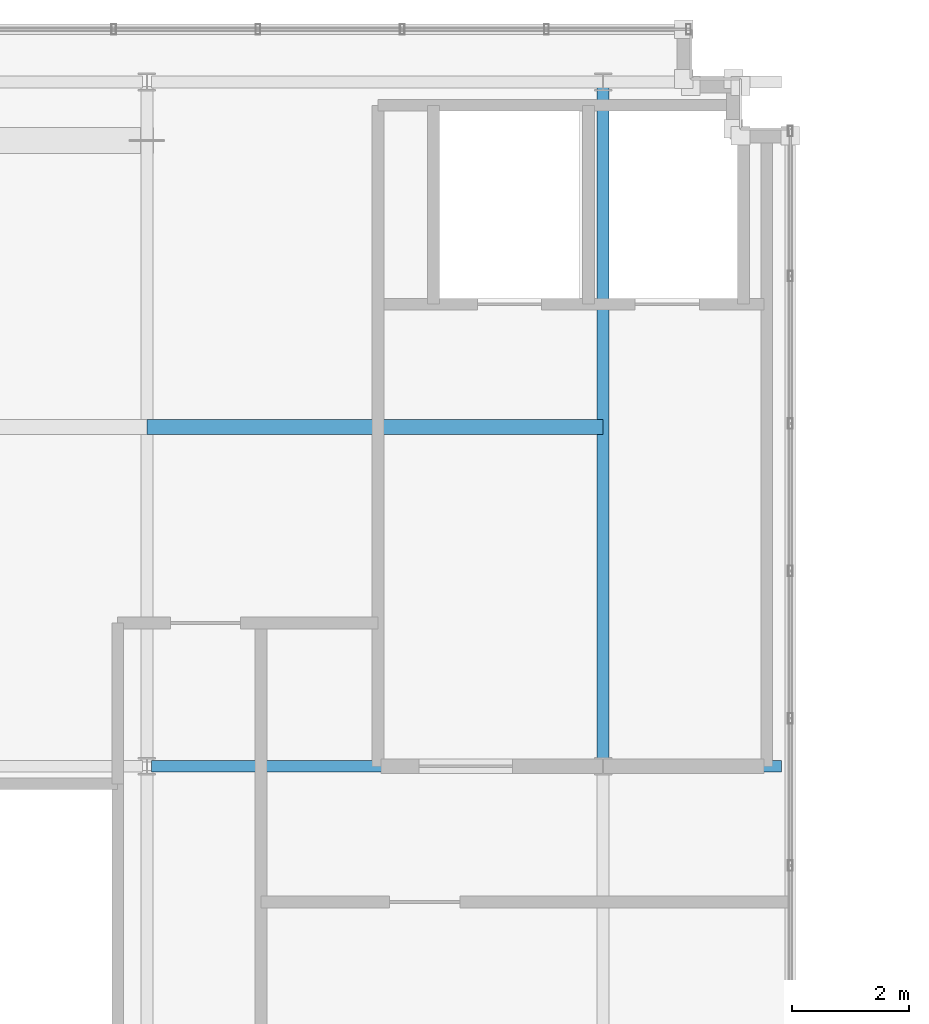
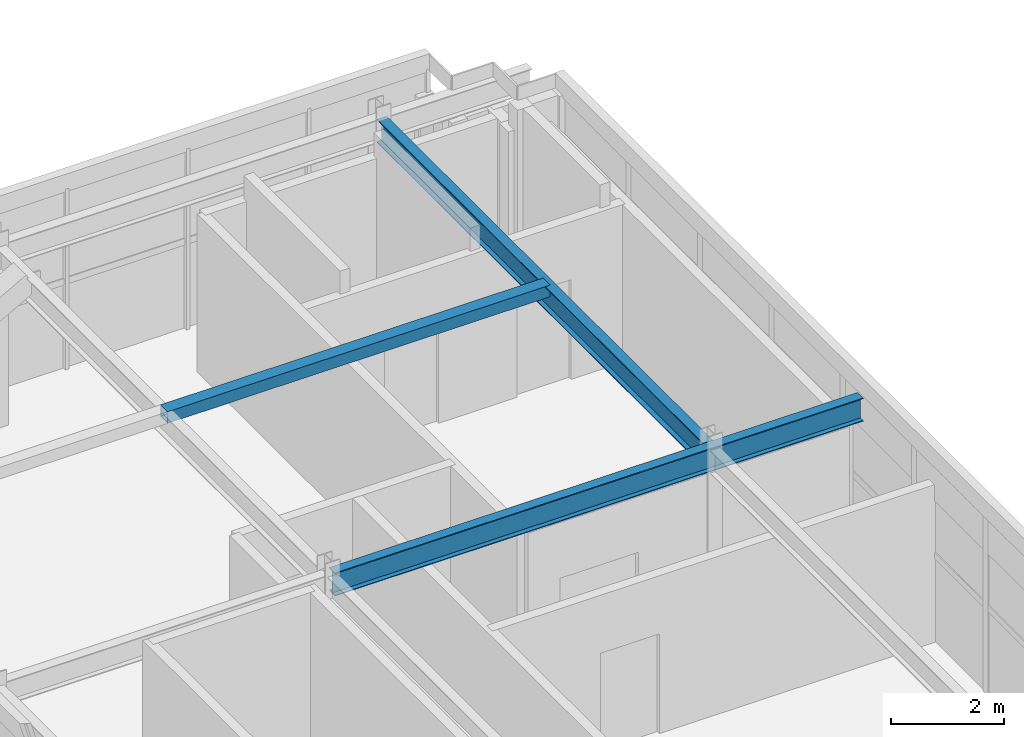
# One storey, part 9 of 25: 2 beams, 1 member.
"""IFC4 building model written with IfcOpenShell, lengths in metres."""

from ifc_helpers import new_model, si_unit, direction, frame, origin, origin_2d, place, context, subcontext, project, spatial, hollow_rectangle, i_section, extrude, source, transform, mapped, material, material_profile, profile_set, type_object, element, save


model = new_model("IFC4")

# Units and contexts
model_context = context("Model", 3, precision=1e-05, world=origin(), true_north=direction((0.0, 1.0)))
body_context = subcontext(model_context, "Body", "Model", "MODEL_VIEW")
ifc_project = project(units=[si_unit("LENGTHUNIT", "METRE"), si_unit("AREAUNIT", "SQUARE_METRE"), si_unit("VOLUMEUNIT", "CUBIC_METRE"), si_unit("PLANEANGLEUNIT", "RADIAN"), si_unit("MASSUNIT", "GRAM", prefix="KILO")], contexts=[model_context])

# Site, building, storey
site_placement = place(None, origin())
site = spatial("IfcSite", under=ifc_project, at=site_placement, CompositionType="ELEMENT")
building_placement = place(site_placement, origin())
building = spatial("IfcBuilding", under=site, at=building_placement, Name="Trelvane Seafront Commons", CompositionType="ELEMENT")
storey_placement = place(building_placement, frame((0.0, 0.0, 320.89990234375)))
storey = spatial("IfcBuildingStorey", under=building, at=storey_placement, Name="L83", CompositionType="ELEMENT", Elevation=320.89990234375)

# Beams
ifc_material = material(Name="Steel SM355 (S355)", Category="steel")
ifc_material_profile_1 = material_profile(ifc_material, i_section(OverallWidth=0.199951171875, OverallDepth=0.5, WebThickness=0.010009765625, FlangeThickness=0.01611328125, at=origin_2d()), Name="H-500x200x10x16")
ifc_profile_set_1 = profile_set([ifc_material_profile_1], Name="Steel SM355 (S355)")
beam_type_1 = type_object("IfcBeamType", Name="STR-BM-H500", PredefinedType="BEAM", material=ifc_profile_set_1)
shared_shape_1 = source(origin(), body_context, "Body", "SweptSolid", [
    extrude(i_section(OverallWidth=0.199951171875, OverallDepth=0.5, WebThickness=0.010009765625, FlangeThickness=0.01611328125, at=origin_2d()), origin(), (0.0, 0.0, 1.0), 11.5498046875),
])
beam_1_placement = place(storey_placement, frame((23.39990234375, 33.47509765625, 3.650146484375), z_axis=(0.0, 1.0, 0.0), x_axis=(-1.0, 0.0, 0.0)))
element("IfcBeam", 1, at=beam_1_placement, inside=storey, type_object=beam_type_1, Name="L83 Primary Girder G-18", PredefinedType="BEAM", context=body_context, shape_type="MappedRepresentation", body=[
    mapped(shared_shape_1, transform((0.0, 0.0, 0.0), x_axis=(1.0, 0.0, 0.0), y_axis=(0.0, 1.0, 0.0), z_axis=(0.0, 0.0, 1.0), scale=1.0)),
])
ifc_material_profile_2 = material_profile(ifc_material, i_section(OverallWidth=0.199951171875, OverallDepth=0.5, WebThickness=0.010009765625, FlangeThickness=0.01611328125, at=origin_2d()), Name="H-500x200x10x16")
ifc_profile_set_2 = profile_set([ifc_material_profile_2], Name="Steel SM355 (S355)")
beam_type_2 = type_object("IfcBeamType", Name="STR-CROWN-FRAME-RING", PredefinedType="SPANDREL", material=ifc_profile_set_2)
shared_shape_2 = source(origin(), body_context, "Body", "SweptSolid", [
    extrude(i_section(OverallWidth=0.199951171875, OverallDepth=0.5, WebThickness=0.010009765625, FlangeThickness=0.01611328125, at=origin_2d()), origin(), (0.0, 0.0, 1.0), 10.77490234375),
])
beam_2_placement = place(storey_placement, frame((15.675048828125, 33.39990234375, 3.650146484375), z_axis=(1.0, 0.0, 0.0), x_axis=(0.0, 1.0, 0.0)))
element("IfcBeam", 2, at=beam_2_placement, inside=storey, type_object=beam_type_2, Name="L83 CROWN FRAME Ring Beam G-06", PredefinedType="SPANDREL", context=body_context, shape_type="MappedRepresentation", body=[
    mapped(shared_shape_2, transform((0.0, 0.0, 0.0), x_axis=(1.0, 0.0, 0.0), y_axis=(0.0, 1.0, 0.0), z_axis=(0.0, 0.0, 1.0), scale=1.0)),
])

# Member
ifc_material_profile_3 = material_profile(ifc_material, hollow_rectangle(XDim=0.25, YDim=0.25, WallThickness=0.010009765625, at=origin_2d()), Name="RHS-250x250x10")
ifc_profile_set_3 = profile_set([ifc_material_profile_3], Name="Steel SM355 (S355)")
member_type = type_object("IfcMemberType", Name="STR-PUR-RHS250", PredefinedType="PURLIN", material=ifc_profile_set_3)
shared_shape_3 = source(origin(), body_context, "Body", "SweptSolid", [
    extrude(hollow_rectangle(XDim=0.25, YDim=0.25, WallThickness=0.010009765625, at=origin_2d()), origin(), (0.0, 0.0, 1.0), 7.7998046875),
])
member_placement = place(storey_placement, frame((15.60009765625, 39.199951171875, 3.775146484375), z_axis=(1.0, 0.0, 0.0), x_axis=(0.0, 1.0, 0.0)))
element("IfcMember", 3, at=member_placement, inside=storey, type_object=member_type, Name="L83 Crown Roof Purlin PR-1", PredefinedType="PURLIN", context=body_context, shape_type="MappedRepresentation", body=[
    mapped(shared_shape_3, transform((0.0, 0.0, 0.0), x_axis=(1.0, 0.0, 0.0), y_axis=(0.0, 1.0, 0.0), z_axis=(0.0, 0.0, 1.0), scale=1.0)),
])

save(model, "model.ifc")
